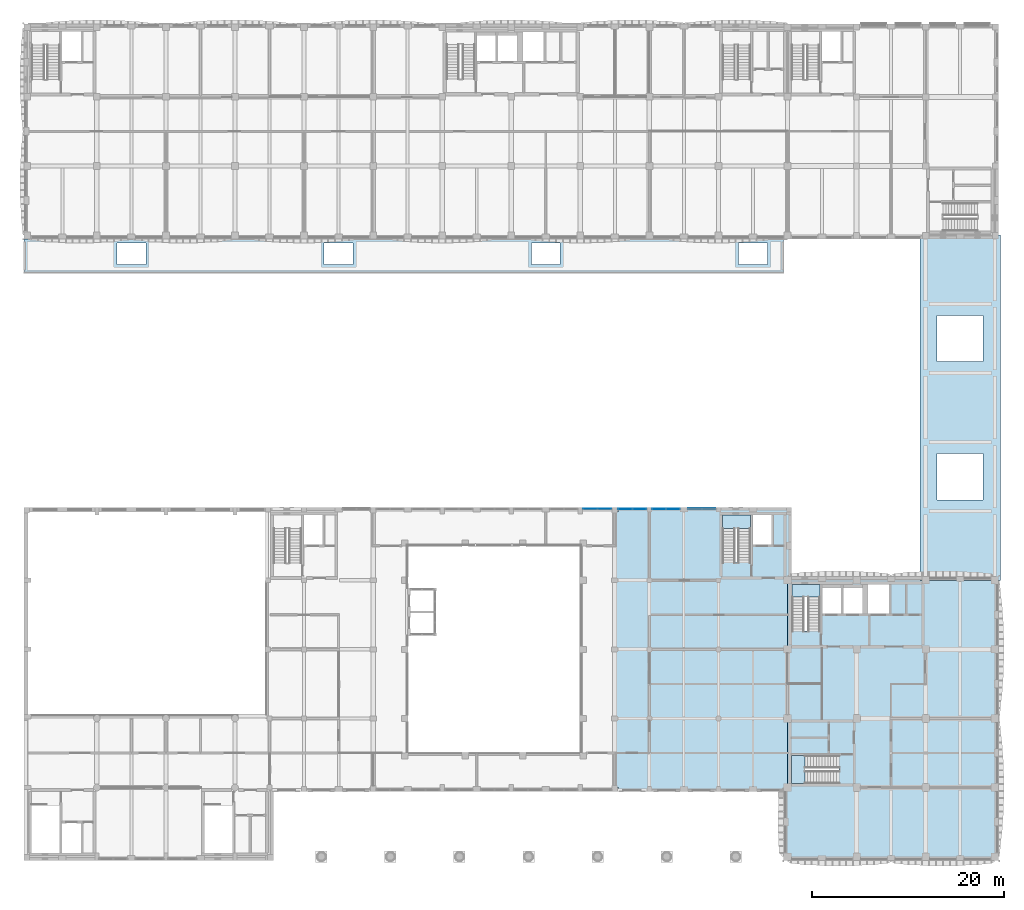
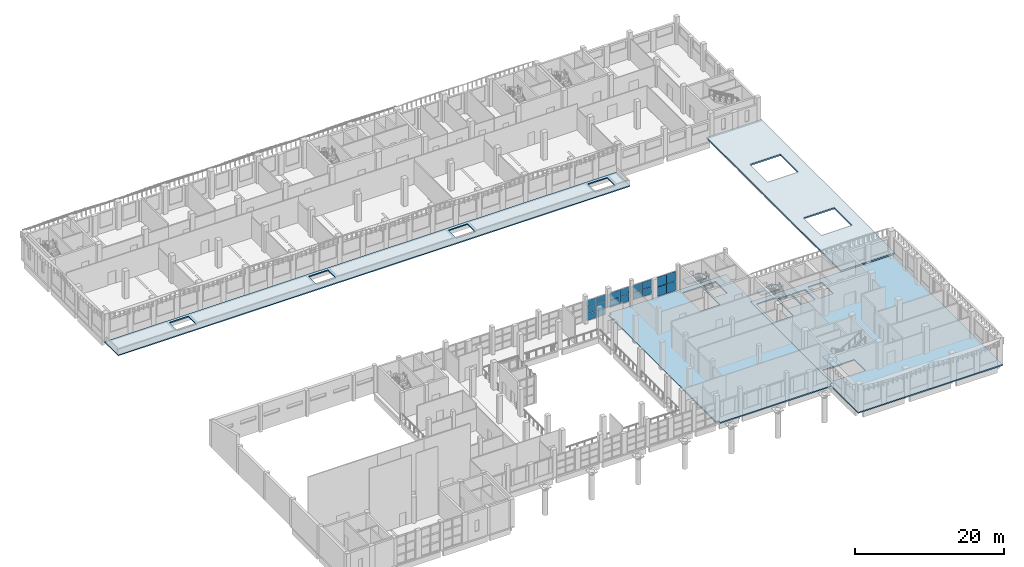
# One storey, part 16 of 59: 18 plates, 7 slabs, 7 elements without a shape of their own.
"""IFC4 building model written with IfcOpenShell, lengths in metres."""

from ifc_helpers import new_model, si_unit, direction, frame, origin, origin_2d, place, context, subcontext, project, spatial, polyline, rectangle, outline, extrude, material, layer, layer_set, type_object, element, aggregate, save


model = new_model("IFC4")

# Units and contexts
model_context = context("Model", 3, precision=1e-05, world=origin(), true_north=direction((0.0, 1.0)))
body_context = subcontext(model_context, "Body", "Model", "MODEL_VIEW")
ifc_project = project(units=[si_unit("LENGTHUNIT", "METRE"), si_unit("AREAUNIT", "SQUARE_METRE"), si_unit("VOLUMEUNIT", "CUBIC_METRE"), si_unit("PLANEANGLEUNIT", "RADIAN"), si_unit("MASSUNIT", "GRAM", prefix="KILO")], contexts=[model_context])

# Site, building, storey
site_placement = place(None, origin())
site = spatial("IfcSite", under=ifc_project, at=site_placement, CompositionType="ELEMENT")
building_placement = place(site_placement, origin())
building = spatial("IfcBuilding", under=site, at=building_placement, Name="Ussher Court Research Institute", CompositionType="ELEMENT")
storey_placement = place(building_placement, frame((0.0, 0.0, 5.39990234375)))
storey = spatial("IfcBuildingStorey", under=building, at=storey_placement, Name="L01", CompositionType="ELEMENT", Elevation=5.39990234375)

# Slabs
ifc_material_1 = material(Name="Concrete C35/45", Category="concrete")
ifc_layer_1 = layer(ifc_material_1, 0.179931640625)
ifc_layer_set_1 = layer_set([ifc_layer_1], Name="Concrete C35/45")
slab_type_1 = type_object("IfcSlabType", Name="Arcade roof slab 180", PredefinedType="ROOF", material=ifc_layer_set_1)
slab_1_placement = place(storey_placement, frame((0.0, 0.0, -0.179931640625)))
element("IfcSlab", 1, at=slab_1_placement, inside=storey, type_object=slab_type_1, Name="AS180 V5C L01-01", PredefinedType="ROOF", context=body_context, shape_type="SweptSolid", body=[
    extrude(outline(polyline([(81.800048828125, 64.800048828125), (81.800048828125, 68.39990234375), (2.60009765625, 68.39990234375), (2.60009765625, 64.800048828125), (81.800048828125, 64.800048828125)]), holes=[polyline([(15.300048828125, 65.75), (12.300048828125, 65.75), (12.300048828125, 67.949951171875), (15.300048828125, 67.949951171875), (15.300048828125, 65.75)]), polyline([(33.89990234375, 65.75), (33.89990234375, 67.949951171875), (36.89990234375, 67.949951171875), (36.89990234375, 65.75), (33.89990234375, 65.75)]), polyline([(55.5, 67.949951171875), (58.5, 67.949951171875), (58.5, 65.75), (55.5, 65.75), (55.5, 67.949951171875)]), polyline([(80.10009765625, 67.949951171875), (80.10009765625, 65.75), (77.10009765625, 65.75), (77.10009765625, 67.949951171875), (80.10009765625, 67.949951171875)])]), origin(), (0.0, 0.0, 1.0), 0.179931640625),
])
ifc_material_2 = material(Name="Concrete C35/45", Category="concrete")
ifc_layer_2 = layer(ifc_material_2, 0.239990234375)
ifc_layer_set_2 = layer_set([ifc_layer_2], Name="Concrete C35/45")
slab_type_2 = type_object("IfcSlabType", Name="Arcade roof slab 240", PredefinedType="ROOF", material=ifc_layer_set_2)
slab_2_placement = place(storey_placement, frame((0.0, 0.0, 0.260009765625)))
element("IfcSlab", 2, at=slab_2_placement, inside=storey, type_object=slab_type_2, Name="AS240 V8 L01-01", PredefinedType="ROOF", context=body_context, shape_type="SweptSolid", body=[
    extrude(outline(polyline([(96.0, 68.800048828125), (96.0, 32.800048828125), (104.39990234375, 32.800048828125), (104.39990234375, 68.800048828125), (96.0, 68.800048828125)]), holes=[polyline([(97.800048828125, 46.0), (102.60009765625, 46.0), (102.60009765625, 41.199951171875), (97.800048828125, 41.199951171875), (97.800048828125, 46.0)]), polyline([(102.60009765625, 60.39990234375), (102.60009765625, 55.60009765625), (97.800048828125, 55.60009765625), (97.800048828125, 60.39990234375), (102.60009765625, 60.39990234375)])]), origin(), (0.0, 0.0, 1.0), 0.239990234375),
])

# Curtain wall, plates
ifc_material_3 = material(Name="Bronze anodised aluminium with fire-resisting glass", Category="aluminium")
ifc_layer_3 = layer(ifc_material_3, 0.1201171875)
ifc_layer_set_3 = layer_set([ifc_layer_3], Name="Bronze anodised aluminium with fire-resisting glass")
curtain_wall_type_1 = type_object("IfcCurtainWallType", Name="Curtain wall stair-side fire-resisting glazing", PredefinedType="NOTDEFINED", material=ifc_layer_set_3)
curtain_wall_1_placement = place(storey_placement, origin())
curtain_wall_1 = element("IfcCurtainWall", 3, at=curtain_wall_1_placement, inside=storey, type_object=curtain_wall_type_1, Name="Curtain wall CW13 L01", PredefinedType="NOTDEFINED")
ifc_material_4 = material(Name="Fire-resisting laminated glazed unit")
ifc_layer_4 = layer(ifc_material_4, 0.090087890625)
ifc_layer_set_4 = layer_set([ifc_layer_4], Name="Fire-resisting laminated glazed unit")
plate_type_1 = type_object("IfcPlateType", Name="Fire-resisting glazing panel EI 60 90 mm", PredefinedType="CURTAIN_PANEL", material=ifc_layer_set_4)
plate_1_placement = place(storey_placement, frame((72.552490234375, 40.25, 0.2099609375), z_axis=(0.0, 0.0, 1.0), x_axis=(1.0, 0.0, 0.0)))
plate_1 = element("IfcPlate", 4, at=plate_1_placement, type_object=plate_type_1, Name="CW13 panel 1.1", PredefinedType="CURTAIN_PANEL", context=body_context, shape_type="SweptSolid", body=[
    extrude(rectangle(XDim=1.385009765625, YDim=0.090087890625, at=origin_2d()), origin(), (0.0, 0.0, 1.0), 1.534912109375),
])
plate_2_placement = place(storey_placement, frame((72.552490234375, 40.25, 1.80517578125), z_axis=(0.0, 0.0, 1.0), x_axis=(1.0, 0.0, 0.0)))
plate_2 = element("IfcPlate", 5, at=plate_2_placement, type_object=plate_type_1, Name="CW13 panel 1.2", PredefinedType="CURTAIN_PANEL", context=body_context, shape_type="SweptSolid", body=[
    extrude(rectangle(XDim=1.385009765625, YDim=0.090087890625, at=origin_2d()), origin(), (0.0, 0.0, 1.0), 1.534912109375),
])
plate_3_placement = place(storey_placement, frame((73.99755859375, 40.25, 0.2099609375), z_axis=(0.0, 0.0, 1.0), x_axis=(1.0, 0.0, 0.0)))
plate_3 = element("IfcPlate", 6, at=plate_3_placement, type_object=plate_type_1, Name="CW13 panel 2.1", PredefinedType="CURTAIN_PANEL", context=body_context, shape_type="SweptSolid", body=[
    extrude(rectangle(XDim=1.385009765625, YDim=0.090087890625, at=origin_2d()), origin(), (0.0, 0.0, 1.0), 1.534912109375),
])
plate_4_placement = place(storey_placement, frame((73.99755859375, 40.25, 1.80517578125), z_axis=(0.0, 0.0, 1.0), x_axis=(1.0, 0.0, 0.0)))
plate_4 = element("IfcPlate", 7, at=plate_4_placement, type_object=plate_type_1, Name="CW13 panel 2.2", PredefinedType="CURTAIN_PANEL", context=body_context, shape_type="SweptSolid", body=[
    extrude(rectangle(XDim=1.385009765625, YDim=0.090087890625, at=origin_2d()), origin(), (0.0, 0.0, 1.0), 1.534912109375),
])
aggregate(curtain_wall_1, [plate_1, plate_2, plate_3, plate_4])

# Slabs
ifc_material_5 = material(Name="Concrete C35/45", Category="concrete")
ifc_layer_5 = layer(ifc_material_5, 0.199951171875)
ifc_layer_set_5 = layer_set([ifc_layer_5], Name="Concrete C35/45")
slab_type_3 = type_object("IfcSlabType", Name="Floor slab 200", PredefinedType="FLOOR", material=ifc_layer_set_5)
slab_3_placement = place(storey_placement, frame((0.0, 0.0, -0.199951171875)))
element("IfcSlab", 8, at=slab_3_placement, inside=storey, type_object=slab_type_3, Name="FS200 V4 L01-01", PredefinedType="FLOOR", context=body_context, shape_type="SweptSolid", body=[
    extrude(outline(polyline([(81.800048828125, 11.199951171875), (81.800048828125, 3.60009765625), (104.199951171875, 3.60009765625), (104.199951171875, 33.199951171875), (82.199951171875, 33.199951171875), (82.199951171875, 11.199951171875), (81.800048828125, 11.199951171875)]), holes=[polyline([(87.550048828125, 11.60009765625), (82.60009765625, 11.60009765625), (82.60009765625, 14.550048828125), (87.550048828125, 14.550048828125), (87.550048828125, 11.60009765625)]), polyline([(82.64990234375, 27.5), (82.64990234375, 32.35009765625), (85.60009765625, 32.35009765625), (85.60009765625, 27.5), (82.64990234375, 27.5)]), polyline([(87.800048828125, 29.300048828125), (85.800048828125, 29.300048828125), (85.800048828125, 32.0), (87.800048828125, 32.0), (87.800048828125, 29.300048828125)]), polyline([(88.0, 29.300048828125), (88.0, 32.0), (90.0, 32.0), (90.0, 29.300048828125), (88.0, 29.300048828125)]), polyline([(90.60009765625, 29.300048828125), (90.60009765625, 32.35009765625), (92.800048828125, 32.35009765625), (92.800048828125, 29.300048828125), (90.60009765625, 29.300048828125)])]), origin(), (0.0, 0.0, 1.0), 0.199951171875),
])
slab_4_placement = place(storey_placement, frame((0.0, 0.0, -0.199951171875)))
element("IfcSlab", 9, at=slab_4_placement, inside=storey, type_object=slab_type_3, Name="FS200 V7 L01-01", PredefinedType="FLOOR", context=body_context, shape_type="SweptSolid", body=[
    extrude(outline(polyline([(64.199951171875, 11.199951171875), (64.60009765625, 11.199951171875), (64.60009765625, 10.800048828125), (81.800048828125, 10.800048828125), (81.800048828125, 11.199951171875), (82.199951171875, 11.199951171875), (82.199951171875, 33.199951171875), (82.60009765625, 33.199951171875), (82.60009765625, 40.39990234375), (64.60009765625, 40.39990234375), (64.60009765625, 40.0), (64.199951171875, 40.0), (64.199951171875, 11.199951171875)]), holes=[polyline([(75.39990234375, 34.64990234375), (75.39990234375, 39.60009765625), (78.35009765625, 39.60009765625), (78.35009765625, 34.64990234375), (75.39990234375, 34.64990234375)]), polyline([(78.550048828125, 36.5), (78.550048828125, 39.60009765625), (80.550048828125, 39.60009765625), (80.550048828125, 36.5), (78.550048828125, 36.5)])]), origin(), (0.0, 0.0, 1.0), 0.199951171875),
])

# Curtain wall, plates
ifc_material_6 = material(Name="Bronze anodised aluminium with low-e glass", Category="aluminium")
ifc_layer_6 = layer(ifc_material_6, 0.1201171875)
ifc_layer_set_6 = layer_set([ifc_layer_6], Name="Bronze anodised aluminium with low-e glass")
curtain_wall_type_2 = type_object("IfcCurtainWallType", Name="Curtain wall atrium clear glazing", PredefinedType="NOTDEFINED", material=ifc_layer_set_6)
curtain_wall_2_placement = place(storey_placement, origin())
curtain_wall_2 = element("IfcCurtainWall", 10, at=curtain_wall_2_placement, inside=storey, type_object=curtain_wall_type_2, Name="Curtain wall CW2 L01", PredefinedType="NOTDEFINED")
ifc_material_7 = material(Name="Double glazed unit")
ifc_layer_7 = layer(ifc_material_7, 0.028076171875)
ifc_layer_set_7 = layer_set([ifc_layer_7], Name="Double glazed unit")
plate_type_2 = type_object("IfcPlateType", Name="Glazing panel 28 mm", PredefinedType="CURTAIN_PANEL", material=ifc_layer_set_7)
plate_5_placement = place(storey_placement, frame((61.62744140625, 40.25, 0.06005859375), z_axis=(0.0, 0.0, 1.0), x_axis=(1.0, 0.0, 0.0)))
plate_5 = element("IfcPlate", 11, at=plate_5_placement, type_object=plate_type_2, Name="CW2 panel 1.1", PredefinedType="CURTAIN_PANEL", context=body_context, shape_type="SweptSolid", body=[
    extrude(rectangle(XDim=1.43505859375, YDim=0.028076171875, at=origin_2d()), origin(), (0.0, 0.0, 1.0), 1.043212890625),
])
plate_6_placement = place(storey_placement, frame((61.62744140625, 40.25, 1.16357421875), z_axis=(0.0, 0.0, 1.0), x_axis=(1.0, 0.0, 0.0)))
plate_6 = element("IfcPlate", 12, at=plate_6_placement, type_object=plate_type_2, Name="CW2 panel 1.2", PredefinedType="CURTAIN_PANEL", context=body_context, shape_type="SweptSolid", body=[
    extrude(rectangle(XDim=1.43505859375, YDim=0.028076171875, at=origin_2d()), origin(), (0.0, 0.0, 1.0), 1.073486328125),
])
plate_7_placement = place(storey_placement, frame((61.62744140625, 40.25, 2.296875), z_axis=(0.0, 0.0, 1.0), x_axis=(1.0, 0.0, 0.0)))
plate_7 = element("IfcPlate", 13, at=plate_7_placement, type_object=plate_type_2, Name="CW2 panel 1.3", PredefinedType="CURTAIN_PANEL", context=body_context, shape_type="SweptSolid", body=[
    extrude(rectangle(XDim=1.43505859375, YDim=0.028076171875, at=origin_2d()), origin(), (0.0, 0.0, 1.0), 1.043212890625),
])
plate_8_placement = place(storey_placement, frame((63.12255859375, 40.25, 0.06005859375), z_axis=(0.0, 0.0, 1.0), x_axis=(1.0, 0.0, 0.0)))
plate_8 = element("IfcPlate", 14, at=plate_8_placement, type_object=plate_type_2, Name="CW2 panel 2.1", PredefinedType="CURTAIN_PANEL", context=body_context, shape_type="SweptSolid", body=[
    extrude(rectangle(XDim=1.43505859375, YDim=0.028076171875, at=origin_2d()), origin(), (0.0, 0.0, 1.0), 1.043212890625),
])
plate_9_placement = place(storey_placement, frame((63.12255859375, 40.25, 1.16357421875), z_axis=(0.0, 0.0, 1.0), x_axis=(1.0, 0.0, 0.0)))
plate_9 = element("IfcPlate", 15, at=plate_9_placement, type_object=plate_type_2, Name="CW2 panel 2.2", PredefinedType="CURTAIN_PANEL", context=body_context, shape_type="SweptSolid", body=[
    extrude(rectangle(XDim=1.43505859375, YDim=0.028076171875, at=origin_2d()), origin(), (0.0, 0.0, 1.0), 1.073486328125),
])
plate_10_placement = place(storey_placement, frame((63.12255859375, 40.25, 2.296875), z_axis=(0.0, 0.0, 1.0), x_axis=(1.0, 0.0, 0.0)))
plate_10 = element("IfcPlate", 16, at=plate_10_placement, type_object=plate_type_2, Name="CW2 panel 2.3", PredefinedType="CURTAIN_PANEL", context=body_context, shape_type="SweptSolid", body=[
    extrude(rectangle(XDim=1.43505859375, YDim=0.028076171875, at=origin_2d()), origin(), (0.0, 0.0, 1.0), 1.043212890625),
])
aggregate(curtain_wall_2, [plate_5, plate_6, plate_7, plate_8, plate_9, plate_10])

ifc_material_8 = material(Name="Bronze anodised aluminium with insulated low-e glass", Category="aluminium")
ifc_layer_8 = layer(ifc_material_8, 0.1201171875)
ifc_layer_set_8 = layer_set([ifc_layer_8], Name="Bronze anodised aluminium with insulated low-e glass")
curtain_wall_type_3 = type_object("IfcCurtainWallType", Name="Curtain wall reading link court front", PredefinedType="NOTDEFINED", material=ifc_layer_set_8)
curtain_wall_3_placement = place(storey_placement, origin())
curtain_wall_3 = element("IfcCurtainWall", 17, at=curtain_wall_3_placement, inside=storey, type_object=curtain_wall_type_3, Name="Curtain wall CW7 L01", PredefinedType="NOTDEFINED")
ifc_material_9 = material(Name="Insulated glazed unit low-e")
ifc_layer_9 = layer(ifc_material_9, 0.06005859375)
ifc_layer_set_9 = layer_set([ifc_layer_9], Name="Insulated glazed unit low-e")
plate_type_3 = type_object("IfcPlateType", Name="Insulated glazing panel 60 mm", PredefinedType="CURTAIN_PANEL", material=ifc_layer_set_9)
plate_11_placement = place(storey_placement, frame((65.277587890625, 40.25, 0.9599609375), z_axis=(0.0, 0.0, 1.0), x_axis=(1.0, 0.0, 0.0)))
plate_11 = element("IfcPlate", 18, at=plate_11_placement, type_object=plate_type_3, Name="CW7 panel 1.1", PredefinedType="CURTAIN_PANEL", context=body_context, shape_type="SweptSolid", body=[
    extrude(rectangle(XDim=1.43505859375, YDim=0.06005859375, at=origin_2d()), origin(), (0.0, 0.0, 1.0), 1.159912109375),
])
plate_12_placement = place(storey_placement, frame((65.277587890625, 40.25, 2.18017578125), z_axis=(0.0, 0.0, 1.0), x_axis=(1.0, 0.0, 0.0)))
plate_12 = element("IfcPlate", 19, at=plate_12_placement, type_object=plate_type_3, Name="CW7 panel 1.2", PredefinedType="CURTAIN_PANEL", context=body_context, shape_type="SweptSolid", body=[
    extrude(rectangle(XDim=1.43505859375, YDim=0.06005859375, at=origin_2d()), origin(), (0.0, 0.0, 1.0), 1.159912109375),
])
plate_13_placement = place(storey_placement, frame((66.7724609375, 40.25, 0.9599609375), z_axis=(0.0, 0.0, 1.0), x_axis=(1.0, 0.0, 0.0)))
plate_13 = element("IfcPlate", 20, at=plate_13_placement, type_object=plate_type_3, Name="CW7 panel 2.1", PredefinedType="CURTAIN_PANEL", context=body_context, shape_type="SweptSolid", body=[
    extrude(rectangle(XDim=1.43505859375, YDim=0.06005859375, at=origin_2d()), origin(), (0.0, 0.0, 1.0), 1.159912109375),
])
plate_14_placement = place(storey_placement, frame((66.7724609375, 40.25, 2.18017578125), z_axis=(0.0, 0.0, 1.0), x_axis=(1.0, 0.0, 0.0)))
plate_14 = element("IfcPlate", 21, at=plate_14_placement, type_object=plate_type_3, Name="CW7 panel 2.2", PredefinedType="CURTAIN_PANEL", context=body_context, shape_type="SweptSolid", body=[
    extrude(rectangle(XDim=1.43505859375, YDim=0.06005859375, at=origin_2d()), origin(), (0.0, 0.0, 1.0), 1.159912109375),
])
aggregate(curtain_wall_3, [plate_11, plate_12, plate_13, plate_14])

curtain_wall_4_placement = place(storey_placement, origin())
curtain_wall_4 = element("IfcCurtainWall", 22, at=curtain_wall_4_placement, inside=storey, type_object=curtain_wall_type_3, Name="Curtain wall CW7 L01", PredefinedType="NOTDEFINED")
plate_15_placement = place(storey_placement, frame((68.802490234375, 40.25, 0.9599609375), z_axis=(0.0, 0.0, 1.0), x_axis=(1.0, 0.0, 0.0)))
plate_15 = element("IfcPlate", 23, at=plate_15_placement, type_object=plate_type_3, Name="CW7 panel 1.1", PredefinedType="CURTAIN_PANEL", context=body_context, shape_type="SweptSolid", body=[
    extrude(rectangle(XDim=1.385009765625, YDim=0.06005859375, at=origin_2d()), origin(), (0.0, 0.0, 1.0), 1.159912109375),
])
plate_16_placement = place(storey_placement, frame((68.802490234375, 40.25, 2.18017578125), z_axis=(0.0, 0.0, 1.0), x_axis=(1.0, 0.0, 0.0)))
plate_16 = element("IfcPlate", 24, at=plate_16_placement, type_object=plate_type_3, Name="CW7 panel 1.2", PredefinedType="CURTAIN_PANEL", context=body_context, shape_type="SweptSolid", body=[
    extrude(rectangle(XDim=1.385009765625, YDim=0.06005859375, at=origin_2d()), origin(), (0.0, 0.0, 1.0), 1.159912109375),
])
plate_17_placement = place(storey_placement, frame((70.24755859375, 40.25, 0.9599609375), z_axis=(0.0, 0.0, 1.0), x_axis=(1.0, 0.0, 0.0)))
plate_17 = element("IfcPlate", 25, at=plate_17_placement, type_object=plate_type_3, Name="CW7 panel 2.1", PredefinedType="CURTAIN_PANEL", context=body_context, shape_type="SweptSolid", body=[
    extrude(rectangle(XDim=1.385009765625, YDim=0.06005859375, at=origin_2d()), origin(), (0.0, 0.0, 1.0), 1.159912109375),
])
plate_18_placement = place(storey_placement, frame((70.24755859375, 40.25, 2.18017578125), z_axis=(0.0, 0.0, 1.0), x_axis=(1.0, 0.0, 0.0)))
plate_18 = element("IfcPlate", 26, at=plate_18_placement, type_object=plate_type_3, Name="CW7 panel 2.2", PredefinedType="CURTAIN_PANEL", context=body_context, shape_type="SweptSolid", body=[
    extrude(rectangle(XDim=1.385009765625, YDim=0.06005859375, at=origin_2d()), origin(), (0.0, 0.0, 1.0), 1.159912109375),
])
aggregate(curtain_wall_4, [plate_15, plate_16, plate_17, plate_18])

# Stair, slab
ifc_material_10 = material(Name="Concrete C35/45", Category="concrete")
stair_type_1 = type_object("IfcStairType", Name="Core stair 26 risers 173 mm x 300 going 1300 wide", PredefinedType="HALF_TURN_STAIR", material=ifc_material_10)
stair_1_placement = place(storey_placement, origin())
stair_1 = element("IfcStair", 27, at=stair_1_placement, inside=storey, type_object=stair_type_1, Name="L01 Stair E1", PredefinedType="HALF_TURN_STAIR")
ifc_material_11 = material(Name="Concrete C35/45", Category="concrete")
ifc_layer_10 = layer(ifc_material_11, 0.199951171875)
ifc_layer_set_10 = layer_set([ifc_layer_10], Name="Concrete C35/45")
slab_type_4 = type_object("IfcSlabType", Name="Stair landing 200 RC", PredefinedType="LANDING", material=ifc_layer_set_10)
slab_5_placement = place(storey_placement, frame((0.0, 0.0, 2.050048828125)))
slab_5 = element("IfcSlab", 28, at=slab_5_placement, type_object=slab_type_4, Name="E1 landing 1", PredefinedType="LANDING", context=body_context, shape_type="SweptSolid", body=[
    extrude(outline(polyline([(78.35009765625, 38.199951171875), (78.35009765625, 39.60009765625), (75.39990234375, 39.60009765625), (75.39990234375, 38.199951171875), (78.35009765625, 38.199951171875)])), origin(), (0.0, 0.0, 1.0), 0.199951171875),
])
aggregate(stair_1, [slab_5])

ifc_material_12 = material(Name="Concrete C35/45", Category="concrete")
stair_type_2 = type_object("IfcStairType", Name="Core stair 26 risers 173 mm x 300 going 1280 wide", PredefinedType="HALF_TURN_STAIR", material=ifc_material_12)
stair_2_placement = place(storey_placement, origin())
stair_2 = element("IfcStair", 29, at=stair_2_placement, inside=storey, type_object=stair_type_2, Name="L01 Stair T1", PredefinedType="HALF_TURN_STAIR")
slab_6_placement = place(storey_placement, frame((0.0, 0.0, 2.050048828125)))
slab_6 = element("IfcSlab", 30, at=slab_6_placement, type_object=slab_type_4, Name="T1 landing 1", PredefinedType="LANDING", context=body_context, shape_type="SweptSolid", body=[
    extrude(outline(polyline([(85.60009765625, 31.050048828125), (85.60009765625, 32.35009765625), (82.64990234375, 32.35009765625), (82.64990234375, 31.050048828125), (85.60009765625, 31.050048828125)])), origin(), (0.0, 0.0, 1.0), 0.199951171875),
])
aggregate(stair_2, [slab_6])

stair_3_placement = place(storey_placement, origin())
stair_3 = element("IfcStair", 31, at=stair_3_placement, inside=storey, type_object=stair_type_1, Name="L01 Stair T2", PredefinedType="HALF_TURN_STAIR")
slab_7_placement = place(storey_placement, frame((0.0, 0.0, 2.050048828125)))
slab_7 = element("IfcSlab", 32, at=slab_7_placement, type_object=slab_type_4, Name="T2 landing 1", PredefinedType="LANDING", context=body_context, shape_type="SweptSolid", body=[
    extrude(outline(polyline([(84.0, 14.550048828125), (82.60009765625, 14.550048828125), (82.60009765625, 11.60009765625), (84.0, 11.60009765625), (84.0, 14.550048828125)])), origin(), (0.0, 0.0, 1.0), 0.199951171875),
])
aggregate(stair_3, [slab_7])

save(model, "model.ifc")
